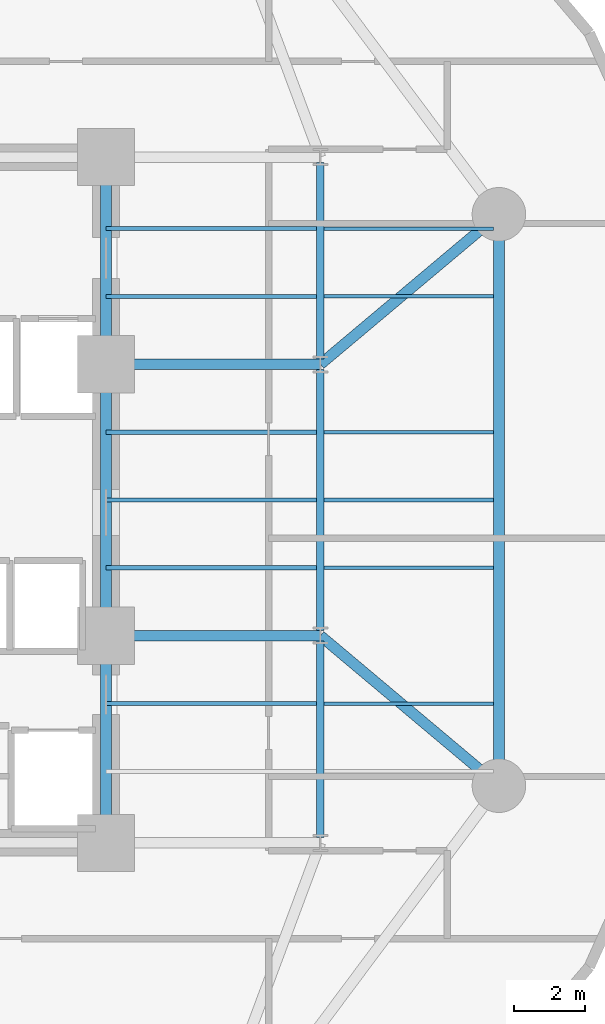
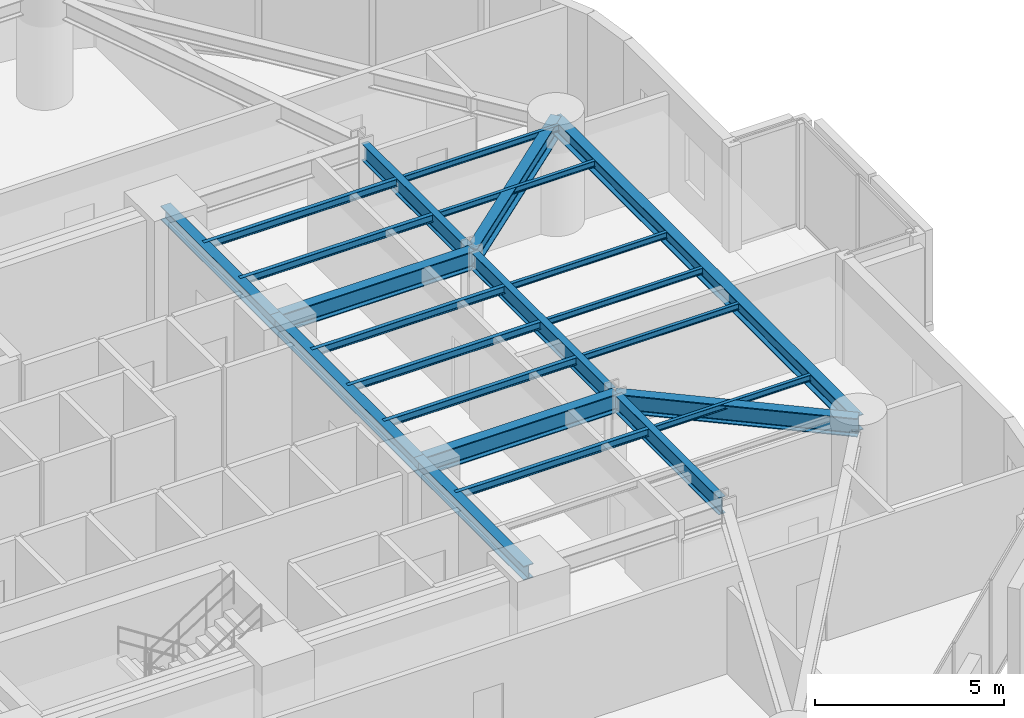
# One storey, part 5 of 16: 23 beams.
"""IFC4 building model written with IfcOpenShell, lengths in metres."""

from ifc_helpers import new_model, si_unit, direction, frame, origin, origin_2d, place, context, subcontext, project, spatial, i_section, extrude, material, material_profile, profile_set, type_object, element, save


model = new_model("IFC4")

# Units and contexts
model_context = context("Model", 3, precision=1e-05, world=origin(), true_north=direction((0.0, 1.0)))
body_context = subcontext(model_context, "Body", "Model", "MODEL_VIEW")
ifc_project = project(units=[si_unit("LENGTHUNIT", "METRE"), si_unit("AREAUNIT", "SQUARE_METRE"), si_unit("VOLUMEUNIT", "CUBIC_METRE"), si_unit("PLANEANGLEUNIT", "RADIAN"), si_unit("MASSUNIT", "GRAM", prefix="KILO")], contexts=[model_context])

# Site, building, storey
site_placement = place(None, origin())
site = spatial("IfcSite", under=ifc_project, at=site_placement, CompositionType="ELEMENT")
building_placement = place(site_placement, origin())
building = spatial("IfcBuilding", under=site, at=building_placement, Name="An Khanh Terracotta Commons", CompositionType="ELEMENT")
storey_placement = place(building_placement, frame((0.0, 0.0, 46.800048828125)))
storey = spatial("IfcBuildingStorey", under=building, at=storey_placement, Name="L12", CompositionType="ELEMENT", Elevation=46.800048828125)

# Beams
ifc_material = material(Name="Steel S355J2", Category="steel")
ifc_material_profile_1 = material_profile(ifc_material, i_section(OverallWidth=0.300048828125, OverallDepth=0.449951171875, WebThickness=0.013916015625, FlangeThickness=0.02587890625, FilletRadius=0.027099609375, at=origin_2d()), Name="HEB450")
ifc_profile_set_1 = profile_set([ifc_material_profile_1], Name="Steel S355J2")
beam_type_1 = type_object("IfcBeamType", Name="BM-HEB450", PredefinedType="BEAM", material=ifc_profile_set_1)
beam_1_placement = place(storey_placement, frame((37.199951171875, 14.39990234375, 3.175048828125), z_axis=(0.0, 1.0, 0.0), x_axis=(-1.0, 0.0, 0.0)))
element("IfcBeam", 1, at=beam_1_placement, inside=storey, type_object=beam_type_1, Name="L12 Core East Coupling Girder 1", PredefinedType="BEAM", context=body_context, shape_type="SweptSolid", body=[
    extrude(i_section(OverallWidth=0.300048828125, OverallDepth=0.449951171875, WebThickness=0.013916015625, FlangeThickness=0.02587890625, FilletRadius=0.027099609375, at=origin_2d()), origin(), (0.0, 0.0, 1.0), 5.800048828125),
])
beam_2_placement = place(storey_placement, frame((37.199951171875, 20.199951171875, 3.175048828125), z_axis=(0.0, 1.0, 0.0), x_axis=(-1.0, 0.0, 0.0)))
element("IfcBeam", 2, at=beam_2_placement, inside=storey, type_object=beam_type_1, Name="L12 Core East Coupling Girder 2", PredefinedType="BEAM", context=body_context, shape_type="SweptSolid", body=[
    extrude(i_section(OverallWidth=0.300048828125, OverallDepth=0.449951171875, WebThickness=0.013916015625, FlangeThickness=0.02587890625, FilletRadius=0.027099609375, at=origin_2d()), origin(), (0.0, 0.0, 1.0), 7.60009765625),
])
beam_3_placement = place(storey_placement, frame((37.199951171875, 27.800048828125, 3.175048828125), z_axis=(0.0, 1.0, 0.0), x_axis=(-1.0, 0.0, 0.0)))
element("IfcBeam", 3, at=beam_3_placement, inside=storey, type_object=beam_type_1, Name="L12 Core East Coupling Girder 3", PredefinedType="BEAM", context=body_context, shape_type="SweptSolid", body=[
    extrude(i_section(OverallWidth=0.300048828125, OverallDepth=0.449951171875, WebThickness=0.013916015625, FlangeThickness=0.02587890625, FilletRadius=0.027099609375, at=origin_2d()), origin(), (0.0, 0.0, 1.0), 5.800048828125),
])
ifc_material_profile_2 = material_profile(ifc_material, i_section(OverallWidth=0.300048828125, OverallDepth=0.5, WebThickness=0.014404296875, FlangeThickness=0.028076171875, FilletRadius=0.027099609375, at=origin_2d()), Name="HEB500")
ifc_profile_set_2 = profile_set([ifc_material_profile_2], Name="Steel S355J2")
beam_type_2 = type_object("IfcBeamType", Name="BM-HEB500", PredefinedType="BEAM", material=ifc_profile_set_2)
beam_4_placement = place(storey_placement, frame((48.199951171875, 16.0, 3.14990234375), z_axis=(0.0, 1.0, 0.0), x_axis=(-1.0, 0.0, 0.0)))
element("IfcBeam", 4, at=beam_4_placement, inside=storey, type_object=beam_type_2, Name="L12 Perimeter Ring Spandrel 3", PredefinedType="BEAM", context=body_context, shape_type="SweptSolid", body=[
    extrude(i_section(OverallWidth=0.300048828125, OverallDepth=0.5, WebThickness=0.014404296875, FlangeThickness=0.028076171875, FilletRadius=0.027099609375, at=origin_2d()), origin(), (0.0, 0.0, 1.0), 16.0),
])
ifc_material_profile_3 = material_profile(ifc_material, i_section(OverallWidth=0.300048828125, OverallDepth=0.60009765625, WebThickness=0.015380859375, FlangeThickness=0.030029296875, FilletRadius=0.027099609375, at=origin_2d()), Name="HEB600")
ifc_profile_set_3 = profile_set([ifc_material_profile_3], Name="Steel S355J2")
beam_type_3 = type_object("IfcBeamType", Name="BM-HEB600", PredefinedType="BEAM", material=ifc_profile_set_3)
for number, where, z_axis, x_axis, name in (
    (5, (37.199951171875, 20.199951171875, 3.099853515625), (1.0, 0.0, 0.0), (0.0, 1.0, 0.0), "L12 East Primary Floor Girder 2"),
    (6, (37.199951171875, 27.800048828125, 3.099853515625), (1.0, 0.0, 0.0), (0.0, 1.0, 0.0), "L12 East Primary Floor Girder 3"),
):
    element("IfcBeam", number, at=place(storey_placement, frame(where, z_axis=z_axis, x_axis=x_axis)), inside=storey, type_object=beam_type_3, Name=name, PredefinedType="BEAM", context=body_context, shape_type="SweptSolid", body=[
        extrude(i_section(OverallWidth=0.300048828125, OverallDepth=0.60009765625, WebThickness=0.015380859375, FlangeThickness=0.030029296875, FilletRadius=0.027099609375, at=origin_2d()), origin(), (0.0, 0.0, 1.0), 6.0),
    ])
for number, where, z_axis, x_axis, name in (
    (7, (48.199951171875, 16.0, 3.099853515625), (-0.765708547471, 0.643187702253, 0.0), (-0.643187702253, -0.765708547471, 0.0), "L12 Mega-Column Tie Girder 3"),
    (8, (48.199951171875, 32.0, 3.099853515625), (-0.765708547471, -0.643187702253, 0.0), (0.643187702253, -0.765708547471, 0.0), "L12 Mega-Column Tie Girder 4"),
):
    element("IfcBeam", number, at=place(storey_placement, frame(where, z_axis=z_axis, x_axis=x_axis)), inside=storey, type_object=beam_type_3, Name=name, PredefinedType="BEAM", context=body_context, shape_type="SweptSolid", body=[
        extrude(i_section(OverallWidth=0.300048828125, OverallDepth=0.60009765625, WebThickness=0.015380859375, FlangeThickness=0.030029296875, FilletRadius=0.027099609375, at=origin_2d()), origin(), (0.0, 0.0, 1.0), 6.52978515625),
    ])
ifc_material_profile_4 = material_profile(ifc_material, i_section(OverallWidth=0.10009765625, OverallDepth=0.199951171875, WebThickness=0.005615234375, FlangeThickness=0.008544921875, FilletRadius=0.011962890625, at=origin_2d()), Name="IPE200")
ifc_profile_set_4 = profile_set([ifc_material_profile_4], Name="Steel S355J2")
beam_type_4 = type_object("IfcBeamType", Name="BM-IPE200", PredefinedType="JOIST", material=ifc_profile_set_4)
for number, where, z_axis, x_axis, name in (
    (9, (43.304931640625, 18.300048828125, 3.300048828125), (1.0, 0.0, 0.0), (0.0, 1.0, 0.0), "L12 Riverfront Composite Joist 2"),
    (10, (43.304931640625, 22.10009765625, 3.300048828125), (1.0, 0.0, 0.0), (0.0, 1.0, 0.0), "L12 Riverfront Composite Joist 3"),
    (11, (43.304931640625, 24.0, 3.300048828125), (1.0, 0.0, 0.0), (0.0, 1.0, 0.0), "L12 Riverfront Composite Joist 4"),
    (12, (43.304931640625, 25.89990234375, 3.300048828125), (1.0, 0.0, 0.0), (0.0, 1.0, 0.0), "L12 Riverfront Composite Joist 5"),
    (13, (43.304931640625, 29.699951171875, 3.300048828125), (1.0, 0.0, 0.0), (0.0, 1.0, 0.0), "L12 Riverfront Composite Joist 6"),
    (14, (43.304931640625, 31.60009765625, 3.300048828125), (1.0, 0.0, 0.0), (0.0, 1.0, 0.0), "L12 Riverfront Composite Joist 7"),
):
    element("IfcBeam", number, at=place(storey_placement, frame(where, z_axis=z_axis, x_axis=x_axis)), inside=storey, type_object=beam_type_4, Name=name, PredefinedType="JOIST", context=body_context, shape_type="SweptSolid", body=[
        extrude(i_section(OverallWidth=0.10009765625, OverallDepth=0.199951171875, WebThickness=0.005615234375, FlangeThickness=0.008544921875, FilletRadius=0.011962890625, at=origin_2d()), origin(), (0.0, 0.0, 1.0), 4.7451171875),
    ])
ifc_material_profile_5 = material_profile(ifc_material, i_section(OverallWidth=0.1201171875, OverallDepth=0.239990234375, WebThickness=0.006103515625, FlangeThickness=0.009765625, FilletRadius=0.014892578125, at=origin_2d()), Name="IPE240")
ifc_profile_set_5 = profile_set([ifc_material_profile_5], Name="Steel S355J2")
beam_type_5 = type_object("IfcBeamType", Name="BM-IPE240", PredefinedType="JOIST", material=ifc_profile_set_5)
for number, where, z_axis, x_axis, name in (
    (15, (37.199951171875, 18.300048828125, 3.280029296875), (1.0, 0.0, 0.0), (0.0, 1.0, 0.0), "L12 Inboard Composite Joist 2"),
    (16, (37.199951171875, 22.10009765625, 3.280029296875), (1.0, 0.0, 0.0), (0.0, 1.0, 0.0), "L12 Inboard Composite Joist 3"),
    (17, (37.199951171875, 24.0, 3.280029296875), (1.0, 0.0, 0.0), (0.0, 1.0, 0.0), "L12 Inboard Composite Joist 4"),
    (18, (37.199951171875, 25.89990234375, 3.280029296875), (1.0, 0.0, 0.0), (0.0, 1.0, 0.0), "L12 Inboard Composite Joist 5"),
    (19, (37.199951171875, 29.699951171875, 3.280029296875), (1.0, 0.0, 0.0), (0.0, 1.0, 0.0), "L12 Inboard Composite Joist 6"),
    (20, (37.199951171875, 31.60009765625, 3.280029296875), (1.0, 0.0, 0.0), (0.0, 1.0, 0.0), "L12 Inboard Composite Joist 7"),
):
    element("IfcBeam", number, at=place(storey_placement, frame(where, z_axis=z_axis, x_axis=x_axis)), inside=storey, type_object=beam_type_5, Name=name, PredefinedType="JOIST", context=body_context, shape_type="SweptSolid", body=[
        extrude(i_section(OverallWidth=0.1201171875, OverallDepth=0.239990234375, WebThickness=0.006103515625, FlangeThickness=0.009765625, FilletRadius=0.014892578125, at=origin_2d()), origin(), (0.0, 0.0, 1.0), 5.89501953125),
    ])
ifc_material_profile_6 = material_profile(ifc_material, i_section(OverallWidth=0.2099609375, OverallDepth=0.550048828125, WebThickness=0.010986328125, FlangeThickness=0.01708984375, FilletRadius=0.02392578125, at=origin_2d()), Name="IPE550")
ifc_profile_set_6 = profile_set([ifc_material_profile_6], Name="Steel S355J2")
beam_type_6 = type_object("IfcBeamType", Name="BM-IPE550", PredefinedType="BEAM", material=ifc_profile_set_6)
beam_5_placement = place(storey_placement, frame((43.199951171875, 14.550048828125, 3.125), z_axis=(0.0, 1.0, 0.0), x_axis=(-1.0, 0.0, 0.0)))
element("IfcBeam", 21, at=beam_5_placement, inside=storey, type_object=beam_type_6, Name="L12 East Spine Girder 1", PredefinedType="BEAM", context=body_context, shape_type="SweptSolid", body=[
    extrude(i_section(OverallWidth=0.2099609375, OverallDepth=0.550048828125, WebThickness=0.010986328125, FlangeThickness=0.01708984375, FilletRadius=0.02392578125, at=origin_2d()), origin(), (0.0, 0.0, 1.0), 5.5),
])
beam_6_placement = place(storey_placement, frame((43.199951171875, 20.35009765625, 3.125), z_axis=(0.0, 1.0, 0.0), x_axis=(-1.0, 0.0, 0.0)))
element("IfcBeam", 22, at=beam_6_placement, inside=storey, type_object=beam_type_6, Name="L12 East Spine Girder 2", PredefinedType="BEAM", context=body_context, shape_type="SweptSolid", body=[
    extrude(i_section(OverallWidth=0.2099609375, OverallDepth=0.550048828125, WebThickness=0.010986328125, FlangeThickness=0.01708984375, FilletRadius=0.02392578125, at=origin_2d()), origin(), (0.0, 0.0, 1.0), 7.2998046875),
])
beam_7_placement = place(storey_placement, frame((43.199951171875, 27.949951171875, 3.125), z_axis=(0.0, 1.0, 0.0), x_axis=(-1.0, 0.0, 0.0)))
element("IfcBeam", 23, at=beam_7_placement, inside=storey, type_object=beam_type_6, Name="L12 East Spine Girder 3", PredefinedType="BEAM", context=body_context, shape_type="SweptSolid", body=[
    extrude(i_section(OverallWidth=0.2099609375, OverallDepth=0.550048828125, WebThickness=0.010986328125, FlangeThickness=0.01708984375, FilletRadius=0.02392578125, at=origin_2d()), origin(), (0.0, 0.0, 1.0), 5.5),
])

save(model, "model.ifc")
